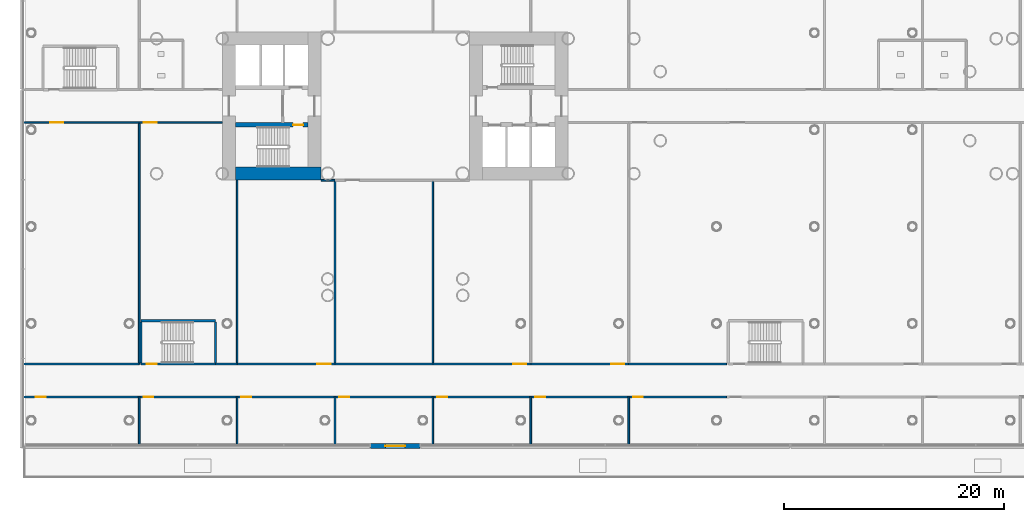
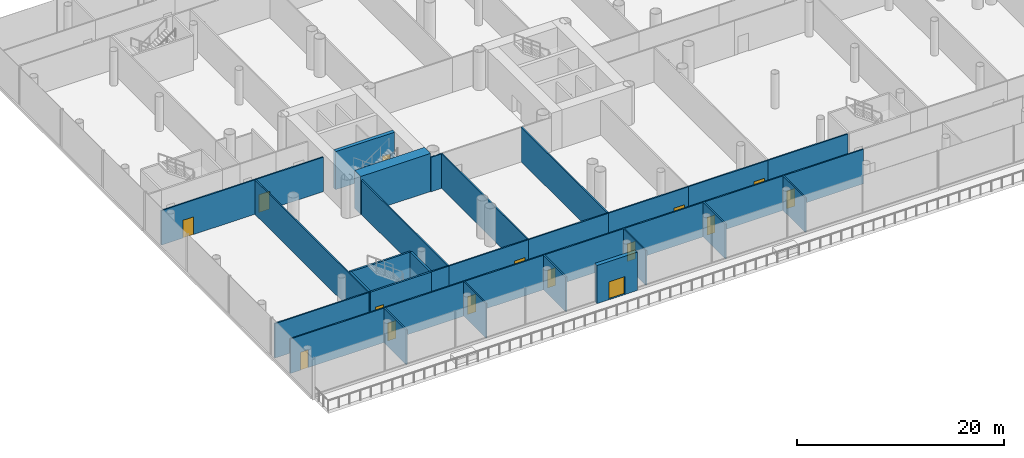
# One storey, part 17 of 49: 34 walls, 15 doors, 15 openings.
"""IFC4 building model written with IfcOpenShell, lengths in metres."""

from ifc_helpers import new_model, si_unit, direction, frame, frame_2d, origin, place, context, subcontext, project, spatial, rectangle, extrude, material, layer, layer_set, type_object, element, fill, save


model = new_model("IFC4")

# Units and contexts
model_context = context("Model", 3, precision=1e-05, world=origin(), true_north=direction((0.0, 1.0)))
body_context = subcontext(model_context, "Body", "Model", "MODEL_VIEW")
ifc_project = project(units=[si_unit("LENGTHUNIT", "METRE"), si_unit("AREAUNIT", "SQUARE_METRE"), si_unit("VOLUMEUNIT", "CUBIC_METRE"), si_unit("PLANEANGLEUNIT", "RADIAN"), si_unit("MASSUNIT", "GRAM", prefix="KILO")], contexts=[model_context])

# Site, building, storey
site_placement = place(None, origin())
site = spatial("IfcSite", under=ifc_project, at=site_placement, CompositionType="ELEMENT")
building_placement = place(site_placement, origin())
building = spatial("IfcBuilding", under=site, at=building_placement, Name="Ipe Terrace Towers", CompositionType="ELEMENT")
storey_placement = place(building_placement, frame((0.0, 0.0, 20.0)))
storey = spatial("IfcBuildingStorey", under=building, at=storey_placement, Name="L04", CompositionType="ELEMENT", Elevation=20.0)

# Wall, opening, door
ifc_material_1 = material(Name="Gypsum board partition", Category="plasterboard")
ifc_layer_1 = layer(ifc_material_1, 0.14990234375)
ifc_layer_set_1 = layer_set([ifc_layer_1], Name="Gypsum board partition 150 mm")
wall_type_1 = type_object("IfcWallType", Name="Gypsum board partition 150 mm", PredefinedType="PARTITIONING", material=ifc_layer_set_1)
wall_1_placement = place(storey_placement, frame((-69.85009765625, -26.5, 0.0), z_axis=(0.0, 0.0, 1.0), x_axis=(1.0, 0.0, 0.0)))
wall_1 = element("IfcWall", 1, at=wall_1_placement, inside=storey, type_object=wall_type_1, Name="Gypsum board partition T1 L04 pd-r0-w0", PredefinedType="PARTITIONING", context=body_context, shape_type="SweptSolid", body=[
    extrude(rectangle(XDim=10.52001953125, YDim=0.14990234375, at=frame_2d((5.260009765625, 0.0))), origin(), (0.0, 0.0, 1.0), 4.074951171875),
])
opening_1_placement = place(wall_1_placement, frame((1.10009765625, 0.0, 0.0)))
opening_1 = element("IfcOpeningElement", 2, at=opening_1_placement, cuts=wall_1, Name="Opening PD-L04-r0", PredefinedType="OPENING", context=body_context, shape_type="SweptSolid", body=[
    extrude(rectangle(XDim=0.89990234375, YDim=2.10009765625, at=frame_2d((0.449951171875, 1.050048828125))), frame((0.0, 0.0849609375, 0.0), z_axis=(0.0, -1.0, 0.0), x_axis=(1.0, 0.0, 0.0)), (0.0, 0.0, 1.0), 0.169921875),
])
ifc_material_2 = material(Name="Fire-rated timber door leaf", Category="wood")
door_type_1 = type_object("IfcDoorType", Name="Lounge door 900 x 2100 FD30S", OperationType="NOTDEFINED", PredefinedType="DOOR", material=ifc_material_2)
door_1_placement = place(opening_1_placement, origin())
door_1 = element("IfcDoor", 3, at=door_1_placement, inside=storey, type_object=door_type_1, Name="Lounge door PD-L04-r0", OperationType="SINGLE_SWING_RIGHT", OverallHeight=2.10009765625, OverallWidth=0.89990234375, PredefinedType="DOOR", context=body_context, shape_type="SweptSolid", body=[
    extrude(rectangle(XDim=0.89990234375, YDim=2.10009765625, at=frame_2d((0.449951171875, 1.050048828125))), frame((0.0, 0.02490234375, 0.0), z_axis=(0.0, -1.0, 0.0), x_axis=(1.0, 0.0, 0.0)), (0.0, 0.0, 1.0), 0.050048828125),
])
fill(opening_1, door_1)

# Wall
wall_2_placement = place(storey_placement, frame((-59.330078125, -26.5, 0.0), z_axis=(0.0, 0.0, 1.0), x_axis=(0.0, -1.0, 0.0)))
element("IfcWall", 4, at=wall_2_placement, inside=storey, type_object=wall_type_1, Name="Gypsum board partition T1 L04 pd-r0-r4-w1", PredefinedType="PARTITIONING", context=body_context, shape_type="SweptSolid", body=[
    extrude(rectangle(XDim=4.35009765625, YDim=0.14990234375, at=frame_2d((2.175048828125, 0.0))), origin(), (0.0, 0.0, 1.0), 4.074951171875),
])

# Wall, opening, door
wall_3_placement = place(storey_placement, frame((-69.85009765625, -1.5, 0.0), z_axis=(0.0, 0.0, 1.0), x_axis=(1.0, 0.0, 0.0)))
wall_3 = element("IfcWall", 5, at=wall_3_placement, inside=storey, type_object=wall_type_1, Name="Gypsum board partition T1 L04 pd-r1-w2", PredefinedType="PARTITIONING", context=body_context, shape_type="SweptSolid", body=[
    extrude(rectangle(XDim=10.52001953125, YDim=0.14990234375, at=frame_2d((5.260009765625, 0.0))), origin(), (0.0, 0.0, 1.0), 4.074951171875),
])
opening_2_placement = place(wall_3_placement, frame((2.39990234375, 0.0, 0.0)))
opening_2 = element("IfcOpeningElement", 6, at=opening_2_placement, cuts=wall_3, Name="Opening PD-L04-r1", PredefinedType="OPENING", context=body_context, shape_type="SweptSolid", body=[
    extrude(rectangle(XDim=1.199951171875, YDim=2.10009765625, at=frame_2d((0.60009765625, 1.050048828125))), frame((0.0, 0.0849609375, 0.0), z_axis=(0.0, -1.0, 0.0), x_axis=(1.0, 0.0, 0.0)), (0.0, 0.0, 1.0), 0.169921875),
])
ifc_material_3 = material(Name="Fire-rated timber door leaf", Category="wood")
door_type_2 = type_object("IfcDoorType", Name="Lounge door 1200 x 2100 FD30S", OperationType="NOTDEFINED", PredefinedType="DOOR", material=ifc_material_3)
door_2_placement = place(opening_2_placement, origin())
door_2 = element("IfcDoor", 7, at=door_2_placement, inside=storey, type_object=door_type_2, Name="Lounge door PD-L04-r1", OperationType="SINGLE_SWING_RIGHT", OverallHeight=2.10009765625, OverallWidth=1.199951171875, PredefinedType="DOOR", context=body_context, shape_type="SweptSolid", body=[
    extrude(rectangle(XDim=1.199951171875, YDim=2.10009765625, at=frame_2d((0.60009765625, 1.050048828125))), frame((0.0, 0.02490234375, 0.0), z_axis=(0.0, -1.0, 0.0), x_axis=(1.0, 0.0, 0.0)), (0.0, 0.0, 1.0), 0.050048828125),
])
fill(opening_2, door_2)

# Walls
wall_4_placement = place(storey_placement, frame((-59.330078125, -23.5, 0.0), z_axis=(0.0, 0.0, 1.0), x_axis=(-1.0, 0.0, 0.0)))
element("IfcWall", 8, at=wall_4_placement, inside=storey, type_object=wall_type_1, Name="Gypsum board partition T1 L04 pd-r1-w3", PredefinedType="PARTITIONING", context=body_context, shape_type="SweptSolid", body=[
    extrude(rectangle(XDim=10.52001953125, YDim=0.14990234375, at=frame_2d((5.260009765625, 0.0))), origin(), (0.0, 0.0, 1.0), 4.074951171875),
])
wall_5_placement = place(storey_placement, frame((-59.330078125, -1.5, 0.0), z_axis=(0.0, 0.0, 1.0), x_axis=(0.0, -1.0, 0.0)))
element("IfcWall", 9, at=wall_5_placement, inside=storey, type_object=wall_type_1, Name="Gypsum board partition T1 L04 pd-r1-r5-w4", PredefinedType="PARTITIONING", context=body_context, shape_type="SweptSolid", body=[
    extrude(rectangle(XDim=22.0, YDim=0.14990234375, at=frame_2d((11.0, 0.0))), origin(), (0.0, 0.0, 1.0), 4.074951171875),
])

# Wall, opening, door
wall_6_placement = place(storey_placement, frame((-59.330078125, -26.5, 0.0), z_axis=(0.0, 0.0, 1.0), x_axis=(1.0, 0.0, 0.0)))
wall_6 = element("IfcWall", 10, at=wall_6_placement, inside=storey, type_object=wall_type_1, Name="Gypsum board partition T1 L04 pd-r4-w11", PredefinedType="PARTITIONING", context=body_context, shape_type="SweptSolid", body=[
    extrude(rectangle(XDim=8.920166015625, YDim=0.14990234375, at=frame_2d((4.4599609375, 0.0))), origin(), (0.0, 0.0, 1.0), 4.074951171875),
])
opening_3_placement = place(wall_6_placement, frame((0.39990234375, 0.0, 0.0)))
opening_3 = element("IfcOpeningElement", 11, at=opening_3_placement, cuts=wall_6, Name="Opening PD-L04-r4", PredefinedType="OPENING", context=body_context, shape_type="SweptSolid", body=[
    extrude(rectangle(XDim=0.89990234375, YDim=2.10009765625, at=frame_2d((0.449951171875, 1.050048828125))), frame((0.0, 0.0849609375, 0.0), z_axis=(0.0, -1.0, 0.0), x_axis=(1.0, 0.0, 0.0)), (0.0, 0.0, 1.0), 0.169921875),
])
door_3_placement = place(opening_3_placement, origin())
door_3 = element("IfcDoor", 12, at=door_3_placement, inside=storey, type_object=door_type_1, Name="Lounge door PD-L04-r4", OperationType="SINGLE_SWING_RIGHT", OverallHeight=2.10009765625, OverallWidth=0.89990234375, PredefinedType="DOOR", context=body_context, shape_type="SweptSolid", body=[
    extrude(rectangle(XDim=0.89990234375, YDim=2.10009765625, at=frame_2d((0.449951171875, 1.050048828125))), frame((0.0, 0.02490234375, 0.0), z_axis=(0.0, -1.0, 0.0), x_axis=(1.0, 0.0, 0.0)), (0.0, 0.0, 1.0), 0.050048828125),
])
fill(opening_3, door_3)

# Wall
wall_7_placement = place(storey_placement, frame((-50.409912109375, -26.5, 0.0), z_axis=(0.0, 0.0, 1.0), x_axis=(0.0, -1.0, 0.0)))
element("IfcWall", 13, at=wall_7_placement, inside=storey, type_object=wall_type_1, Name="Gypsum board partition T1 L04 pd-r4-r8-w12", PredefinedType="PARTITIONING", context=body_context, shape_type="SweptSolid", body=[
    extrude(rectangle(XDim=4.35009765625, YDim=0.14990234375, at=frame_2d((2.175048828125, 0.0))), origin(), (0.0, 0.0, 1.0), 4.074951171875),
])

# Wall, opening, door
wall_8_placement = place(storey_placement, frame((-59.330078125, -1.5, 0.0), z_axis=(0.0, 0.0, 1.0), x_axis=(1.0, 0.0, 0.0)))
wall_8 = element("IfcWall", 14, at=wall_8_placement, inside=storey, type_object=wall_type_1, Name="Gypsum board partition T1 L04 pd-r5-w13", PredefinedType="PARTITIONING", context=body_context, shape_type="SweptSolid", body=[
    extrude(rectangle(XDim=7.580078125, YDim=0.14990234375, at=frame_2d((3.7900390625, 0.0))), origin(), (0.0, 0.0, 1.0), 4.074951171875),
])
opening_4_placement = place(wall_8_placement, frame((0.39990234375, 0.0, 0.0)))
opening_4 = element("IfcOpeningElement", 15, at=opening_4_placement, cuts=wall_8, Name="Opening PD-L04-r5", PredefinedType="OPENING", context=body_context, shape_type="SweptSolid", body=[
    extrude(rectangle(XDim=1.199951171875, YDim=2.10009765625, at=frame_2d((0.60009765625, 1.050048828125))), frame((0.0, 0.0849609375, 0.0), z_axis=(0.0, -1.0, 0.0), x_axis=(1.0, 0.0, 0.0)), (0.0, 0.0, 1.0), 0.169921875),
])
door_4_placement = place(opening_4_placement, origin())
door_4 = element("IfcDoor", 16, at=door_4_placement, inside=storey, type_object=door_type_2, Name="Lounge door PD-L04-r5", OperationType="SINGLE_SWING_RIGHT", OverallHeight=2.10009765625, OverallWidth=1.199951171875, PredefinedType="DOOR", context=body_context, shape_type="SweptSolid", body=[
    extrude(rectangle(XDim=1.199951171875, YDim=2.10009765625, at=frame_2d((0.60009765625, 1.050048828125))), frame((0.0, 0.02490234375, 0.0), z_axis=(0.0, -1.0, 0.0), x_axis=(1.0, 0.0, 0.0)), (0.0, 0.0, 1.0), 0.050048828125),
])
fill(opening_4, door_4)

# Walls
wall_9_placement = place(storey_placement, frame((-50.409912109375, -23.5, 0.0), z_axis=(0.0, 0.0, 1.0), x_axis=(-1.0, 0.0, 0.0)))
element("IfcWall", 17, at=wall_9_placement, inside=storey, type_object=wall_type_1, Name="Gypsum board partition T1 L04 pd-r5-w14", PredefinedType="PARTITIONING", context=body_context, shape_type="SweptSolid", body=[
    extrude(rectangle(XDim=1.960205078125, YDim=0.14990234375, at=frame_2d((0.97998046875, 0.0))), origin(), (0.0, 0.0, 1.0), 4.074951171875),
])
wall_10_placement = place(storey_placement, frame((-50.409912109375, -6.75, 0.0), z_axis=(0.0, 0.0, 1.0), x_axis=(0.0, -1.0, 0.0)))
element("IfcWall", 18, at=wall_10_placement, inside=storey, type_object=wall_type_1, Name="Gypsum board partition T1 L04 pd-r5-r9-w15", PredefinedType="PARTITIONING", context=body_context, shape_type="SweptSolid", body=[
    extrude(rectangle(XDim=16.75, YDim=0.14990234375, at=frame_2d((8.375, 0.0))), origin(), (0.0, 0.0, 1.0), 4.074951171875),
])

# Wall, opening, door
wall_11_placement = place(storey_placement, frame((-50.409912109375, -26.5, 0.0), z_axis=(0.0, 0.0, 1.0), x_axis=(1.0, 0.0, 0.0)))
wall_11 = element("IfcWall", 19, at=wall_11_placement, inside=storey, type_object=wall_type_1, Name="Gypsum board partition T1 L04 pd-r8-w19", PredefinedType="PARTITIONING", context=body_context, shape_type="SweptSolid", body=[
    extrude(rectangle(XDim=8.919921875, YDim=0.14990234375, at=frame_2d((4.4599609375, 0.0))), origin(), (0.0, 0.0, 1.0), 4.074951171875),
])
opening_5_placement = place(wall_11_placement, frame((0.39990234375, 0.0, 0.0)))
opening_5 = element("IfcOpeningElement", 20, at=opening_5_placement, cuts=wall_11, Name="Opening PD-L04-r8", PredefinedType="OPENING", context=body_context, shape_type="SweptSolid", body=[
    extrude(rectangle(XDim=0.89990234375, YDim=2.10009765625, at=frame_2d((0.449951171875, 1.050048828125))), frame((0.0, 0.0849609375, 0.0), z_axis=(0.0, -1.0, 0.0), x_axis=(1.0, 0.0, 0.0)), (0.0, 0.0, 1.0), 0.169921875),
])
door_5_placement = place(opening_5_placement, origin())
door_5 = element("IfcDoor", 21, at=door_5_placement, inside=storey, type_object=door_type_1, Name="Lounge door PD-L04-r8", OperationType="SINGLE_SWING_RIGHT", OverallHeight=2.10009765625, OverallWidth=0.89990234375, PredefinedType="DOOR", context=body_context, shape_type="SweptSolid", body=[
    extrude(rectangle(XDim=0.89990234375, YDim=2.10009765625, at=frame_2d((0.449951171875, 1.050048828125))), frame((0.0, 0.02490234375, 0.0), z_axis=(0.0, -1.0, 0.0), x_axis=(1.0, 0.0, 0.0)), (0.0, 0.0, 1.0), 0.050048828125),
])
fill(opening_5, door_5)

# Wall
wall_12_placement = place(storey_placement, frame((-42.75, -6.75, 0.0), z_axis=(0.0, 0.0, 1.0), x_axis=(1.0, 0.0, 0.0)))
element("IfcWall", 22, at=wall_12_placement, inside=storey, type_object=wall_type_1, Name="Gypsum board partition T1 L04 pd-r9-w20", PredefinedType="PARTITIONING", context=body_context, shape_type="SweptSolid", body=[
    extrude(rectangle(XDim=1.260009765625, YDim=0.14990234375, at=frame_2d((0.6298828125, 0.0))), origin(), (0.0, 0.0, 1.0), 4.074951171875),
])

# Wall, opening, door
wall_13_placement = place(storey_placement, frame((-41.489990234375, -23.5, 0.0), z_axis=(0.0, 0.0, 1.0), x_axis=(-1.0, 0.0, 0.0)))
wall_13 = element("IfcWall", 23, at=wall_13_placement, inside=storey, type_object=wall_type_1, Name="Gypsum board partition T1 L04 pd-r9-w21", PredefinedType="PARTITIONING", context=body_context, shape_type="SweptSolid", body=[
    extrude(rectangle(XDim=8.919921875, YDim=0.14990234375, at=frame_2d((4.4599609375, 0.0))), origin(), (0.0, 0.0, 1.0), 4.074951171875),
])
opening_6_placement = place(wall_13_placement, frame((0.39990234375, 0.0, 0.0)))
opening_6 = element("IfcOpeningElement", 24, at=opening_6_placement, cuts=wall_13, Name="Opening PD-L04-r9", PredefinedType="OPENING", context=body_context, shape_type="SweptSolid", body=[
    extrude(rectangle(XDim=1.199951171875, YDim=2.10009765625, at=frame_2d((0.60009765625, 1.050048828125))), frame((0.0, 0.0849609375, 0.0), z_axis=(0.0, -1.0, 0.0), x_axis=(1.0, 0.0, 0.0)), (0.0, 0.0, 1.0), 0.169921875),
])
door_6_placement = place(opening_6_placement, origin())
door_6 = element("IfcDoor", 25, at=door_6_placement, inside=storey, type_object=door_type_2, Name="Lounge door PD-L04-r9", OperationType="SINGLE_SWING_RIGHT", OverallHeight=2.10009765625, OverallWidth=1.199951171875, PredefinedType="DOOR", context=body_context, shape_type="SweptSolid", body=[
    extrude(rectangle(XDim=1.199951171875, YDim=2.10009765625, at=frame_2d((0.60009765625, 1.050048828125))), frame((0.0, 0.02490234375, 0.0), z_axis=(0.0, -1.0, 0.0), x_axis=(1.0, 0.0, 0.0)), (0.0, 0.0, 1.0), 0.050048828125),
])
fill(opening_6, door_6)

wall_14_placement = place(storey_placement, frame((-41.489990234375, -26.5, 0.0), z_axis=(0.0, 0.0, 1.0), x_axis=(1.0, 0.0, 0.0)))
wall_14 = element("IfcWall", 26, at=wall_14_placement, inside=storey, type_object=wall_type_1, Name="Gypsum board partition T1 L04 pd-r12-w29", PredefinedType="PARTITIONING", context=body_context, shape_type="SweptSolid", body=[
    extrude(rectangle(XDim=8.919921875, YDim=0.14990234375, at=frame_2d((4.4599609375, 0.0))), origin(), (0.0, 0.0, 1.0), 4.074951171875),
])
opening_7_placement = place(wall_14_placement, frame((0.39990234375, 0.0, 0.0)))
opening_7 = element("IfcOpeningElement", 27, at=opening_7_placement, cuts=wall_14, Name="Opening PD-L04-r12", PredefinedType="OPENING", context=body_context, shape_type="SweptSolid", body=[
    extrude(rectangle(XDim=0.89990234375, YDim=2.10009765625, at=frame_2d((0.449951171875, 1.050048828125))), frame((0.0, 0.0849609375, 0.0), z_axis=(0.0, -1.0, 0.0), x_axis=(1.0, 0.0, 0.0)), (0.0, 0.0, 1.0), 0.169921875),
])
door_7_placement = place(opening_7_placement, origin())
door_7 = element("IfcDoor", 28, at=door_7_placement, inside=storey, type_object=door_type_1, Name="Lounge door PD-L04-r12", OperationType="SINGLE_SWING_RIGHT", OverallHeight=2.10009765625, OverallWidth=0.89990234375, PredefinedType="DOOR", context=body_context, shape_type="SweptSolid", body=[
    extrude(rectangle(XDim=0.89990234375, YDim=2.10009765625, at=frame_2d((0.449951171875, 1.050048828125))), frame((0.0, 0.02490234375, 0.0), z_axis=(0.0, -1.0, 0.0), x_axis=(1.0, 0.0, 0.0)), (0.0, 0.0, 1.0), 0.050048828125),
])
fill(opening_7, door_7)

# Walls
for number, where, z_axis, x_axis, name in (
    (29, (-41.489990234375, -30.85009765625, 0.0), (0.0, 0.0, 1.0), (0.0, 1.0, 0.0), "Gypsum board partition T1 L04 pd-r12-r8-w30"),
    (30, (-32.570068359375, -26.5, 0.0), (0.0, 0.0, 1.0), (0.0, -1.0, 0.0), "Gypsum board partition T1 L04 pd-r12-r16-w31"),
):
    element("IfcWall", number, at=place(storey_placement, frame(where, z_axis=z_axis, x_axis=x_axis)), inside=storey, type_object=wall_type_1, Name=name, PredefinedType="PARTITIONING", context=body_context, shape_type="SweptSolid", body=[
        extrude(rectangle(XDim=4.35009765625, YDim=0.14990234375, at=frame_2d((2.175048828125, 0.0))), origin(), (0.0, 0.0, 1.0), 4.074951171875),
    ])
wall_15_placement = place(storey_placement, frame((-32.570068359375, -23.5, 0.0), z_axis=(0.0, 0.0, 1.0), x_axis=(-1.0, 0.0, 0.0)))
element("IfcWall", 31, at=wall_15_placement, inside=storey, type_object=wall_type_1, Name="Gypsum board partition T1 L04 pd-r13-w33", PredefinedType="PARTITIONING", context=body_context, shape_type="SweptSolid", body=[
    extrude(rectangle(XDim=8.919921875, YDim=0.14990234375, at=frame_2d((4.4599609375, 0.0))), origin(), (0.0, 0.0, 1.0), 4.074951171875),
])
for number, where, z_axis, x_axis, name in (
    (32, (-41.489990234375, -23.5, 0.0), (0.0, 0.0, 1.0), (0.0, 1.0, 0.0), "Gypsum board partition T1 L04 pd-r13-r9-w34"),
    (33, (-32.570068359375, -6.75, 0.0), (0.0, 0.0, 1.0), (0.0, -1.0, 0.0), "Gypsum board partition T1 L04 pd-r13-r17-w35"),
):
    element("IfcWall", number, at=place(storey_placement, frame(where, z_axis=z_axis, x_axis=x_axis)), inside=storey, type_object=wall_type_1, Name=name, PredefinedType="PARTITIONING", context=body_context, shape_type="SweptSolid", body=[
        extrude(rectangle(XDim=16.75, YDim=0.14990234375, at=frame_2d((8.375, 0.0))), origin(), (0.0, 0.0, 1.0), 4.074951171875),
    ])

# Wall, opening, door
wall_16_placement = place(storey_placement, frame((-32.570068359375, -26.5, 0.0), z_axis=(0.0, 0.0, 1.0), x_axis=(1.0, 0.0, 0.0)))
wall_16 = element("IfcWall", 34, at=wall_16_placement, inside=storey, type_object=wall_type_1, Name="Gypsum board partition T1 L04 pd-r16-w41", PredefinedType="PARTITIONING", context=body_context, shape_type="SweptSolid", body=[
    extrude(rectangle(XDim=8.920166015625, YDim=0.14990234375, at=frame_2d((4.4599609375, 0.0))), origin(), (0.0, 0.0, 1.0), 4.074951171875),
])
opening_8_placement = place(wall_16_placement, frame((0.39990234375, 0.0, 0.0)))
opening_8 = element("IfcOpeningElement", 35, at=opening_8_placement, cuts=wall_16, Name="Opening PD-L04-r16", PredefinedType="OPENING", context=body_context, shape_type="SweptSolid", body=[
    extrude(rectangle(XDim=0.89990234375, YDim=2.10009765625, at=frame_2d((0.449951171875, 1.050048828125))), frame((0.0, 0.0849609375, 0.0), z_axis=(0.0, -1.0, 0.0), x_axis=(1.0, 0.0, 0.0)), (0.0, 0.0, 1.0), 0.169921875),
])
door_8_placement = place(opening_8_placement, origin())
door_8 = element("IfcDoor", 36, at=door_8_placement, inside=storey, type_object=door_type_1, Name="Lounge door PD-L04-r16", OperationType="SINGLE_SWING_RIGHT", OverallHeight=2.10009765625, OverallWidth=0.89990234375, PredefinedType="DOOR", context=body_context, shape_type="SweptSolid", body=[
    extrude(rectangle(XDim=0.89990234375, YDim=2.10009765625, at=frame_2d((0.449951171875, 1.050048828125))), frame((0.0, 0.02490234375, 0.0), z_axis=(0.0, -1.0, 0.0), x_axis=(1.0, 0.0, 0.0)), (0.0, 0.0, 1.0), 0.050048828125),
])
fill(opening_8, door_8)

# Wall
wall_17_placement = place(storey_placement, frame((-23.64990234375, -26.5, 0.0), z_axis=(0.0, 0.0, 1.0), x_axis=(0.0, -1.0, 0.0)))
element("IfcWall", 37, at=wall_17_placement, inside=storey, type_object=wall_type_1, Name="Gypsum board partition T1 L04 pd-r16-r20-w42", PredefinedType="PARTITIONING", context=body_context, shape_type="SweptSolid", body=[
    extrude(rectangle(XDim=4.35009765625, YDim=0.14990234375, at=frame_2d((2.175048828125, 0.0))), origin(), (0.0, 0.0, 1.0), 4.074951171875),
])

# Wall, opening, door
wall_18_placement = place(storey_placement, frame((-23.64990234375, -23.5, 0.0), z_axis=(0.0, 0.0, 1.0), x_axis=(-1.0, 0.0, 0.0)))
wall_18 = element("IfcWall", 38, at=wall_18_placement, inside=storey, type_object=wall_type_1, Name="Gypsum board partition T1 L04 pd-r17-w44", PredefinedType="PARTITIONING", context=body_context, shape_type="SweptSolid", body=[
    extrude(rectangle(XDim=8.920166015625, YDim=0.14990234375, at=frame_2d((4.4599609375, 0.0))), origin(), (0.0, 0.0, 1.0), 4.074951171875),
])
opening_9_placement = place(wall_18_placement, frame((0.39990234375, 0.0, 0.0)))
opening_9 = element("IfcOpeningElement", 39, at=opening_9_placement, cuts=wall_18, Name="Opening PD-L04-r17", PredefinedType="OPENING", context=body_context, shape_type="SweptSolid", body=[
    extrude(rectangle(XDim=1.199951171875, YDim=2.10009765625, at=frame_2d((0.60009765625, 1.050048828125))), frame((0.0, 0.0849609375, 0.0), z_axis=(0.0, -1.0, 0.0), x_axis=(1.0, 0.0, 0.0)), (0.0, 0.0, 1.0), 0.169921875),
])
door_9_placement = place(opening_9_placement, origin())
door_9 = element("IfcDoor", 40, at=door_9_placement, inside=storey, type_object=door_type_2, Name="Lounge door PD-L04-r17", OperationType="SINGLE_SWING_RIGHT", OverallHeight=2.10009765625, OverallWidth=1.199951171875, PredefinedType="DOOR", context=body_context, shape_type="SweptSolid", body=[
    extrude(rectangle(XDim=1.199951171875, YDim=2.10009765625, at=frame_2d((0.60009765625, 1.050048828125))), frame((0.0, 0.02490234375, 0.0), z_axis=(0.0, -1.0, 0.0), x_axis=(1.0, 0.0, 0.0)), (0.0, 0.0, 1.0), 0.050048828125),
])
fill(opening_9, door_9)

wall_19_placement = place(storey_placement, frame((-23.64990234375, -26.5, 0.0), z_axis=(0.0, 0.0, 1.0), x_axis=(1.0, 0.0, 0.0)))
wall_19 = element("IfcWall", 41, at=wall_19_placement, inside=storey, type_object=wall_type_1, Name="Gypsum board partition T1 L04 pd-r20-w51", PredefinedType="PARTITIONING", context=body_context, shape_type="SweptSolid", body=[
    extrude(rectangle(XDim=8.919921875, YDim=0.14990234375, at=frame_2d((4.4599609375, 0.0))), origin(), (0.0, 0.0, 1.0), 4.074951171875),
])
opening_10_placement = place(wall_19_placement, frame((0.39990234375, 0.0, 0.0)))
opening_10 = element("IfcOpeningElement", 42, at=opening_10_placement, cuts=wall_19, Name="Opening PD-L04-r20", PredefinedType="OPENING", context=body_context, shape_type="SweptSolid", body=[
    extrude(rectangle(XDim=0.89990234375, YDim=2.10009765625, at=frame_2d((0.449951171875, 1.050048828125))), frame((0.0, 0.0849609375, 0.0), z_axis=(0.0, -1.0, 0.0), x_axis=(1.0, 0.0, 0.0)), (0.0, 0.0, 1.0), 0.169921875),
])
door_10_placement = place(opening_10_placement, origin())
door_10 = element("IfcDoor", 43, at=door_10_placement, inside=storey, type_object=door_type_1, Name="Lounge door PD-L04-r20", OperationType="SINGLE_SWING_RIGHT", OverallHeight=2.10009765625, OverallWidth=0.89990234375, PredefinedType="DOOR", context=body_context, shape_type="SweptSolid", body=[
    extrude(rectangle(XDim=0.89990234375, YDim=2.10009765625, at=frame_2d((0.449951171875, 1.050048828125))), frame((0.0, 0.02490234375, 0.0), z_axis=(0.0, -1.0, 0.0), x_axis=(1.0, 0.0, 0.0)), (0.0, 0.0, 1.0), 0.050048828125),
])
fill(opening_10, door_10)

# Wall
wall_20_placement = place(storey_placement, frame((-14.72998046875, -26.5, 0.0), z_axis=(0.0, 0.0, 1.0), x_axis=(0.0, -1.0, 0.0)))
element("IfcWall", 44, at=wall_20_placement, inside=storey, type_object=wall_type_1, Name="Gypsum board partition T1 L04 pd-r20-r24-w52", PredefinedType="PARTITIONING", context=body_context, shape_type="SweptSolid", body=[
    extrude(rectangle(XDim=4.35009765625, YDim=0.14990234375, at=frame_2d((2.175048828125, 0.0))), origin(), (0.0, 0.0, 1.0), 4.074951171875),
])

# Wall, opening, door
wall_21_placement = place(storey_placement, frame((-14.72998046875, -23.5, 0.0), z_axis=(0.0, 0.0, 1.0), x_axis=(-1.0, 0.0, 0.0)))
wall_21 = element("IfcWall", 45, at=wall_21_placement, inside=storey, type_object=wall_type_1, Name="Gypsum board partition T1 L04 pd-r22-w56", PredefinedType="PARTITIONING", context=body_context, shape_type="SweptSolid", body=[
    extrude(rectangle(XDim=8.919921875, YDim=0.14990234375, at=frame_2d((4.4599609375, 0.0))), origin(), (0.0, 0.0, 1.0), 4.074951171875),
])
opening_11_placement = place(wall_21_placement, frame((0.39990234375, 0.0, 0.0)))
opening_11 = element("IfcOpeningElement", 46, at=opening_11_placement, cuts=wall_21, Name="Opening PD-L04-r22", PredefinedType="OPENING", context=body_context, shape_type="SweptSolid", body=[
    extrude(rectangle(XDim=1.199951171875, YDim=2.10009765625, at=frame_2d((0.60009765625, 1.050048828125))), frame((0.0, 0.0849609375, 0.0), z_axis=(0.0, -1.0, 0.0), x_axis=(1.0, 0.0, 0.0)), (0.0, 0.0, 1.0), 0.169921875),
])
door_11_placement = place(opening_11_placement, origin())
door_11 = element("IfcDoor", 47, at=door_11_placement, inside=storey, type_object=door_type_2, Name="Lounge door PD-L04-r22", OperationType="SINGLE_SWING_RIGHT", OverallHeight=2.10009765625, OverallWidth=1.199951171875, PredefinedType="DOOR", context=body_context, shape_type="SweptSolid", body=[
    extrude(rectangle(XDim=1.199951171875, YDim=2.10009765625, at=frame_2d((0.60009765625, 1.050048828125))), frame((0.0, 0.02490234375, 0.0), z_axis=(0.0, -1.0, 0.0), x_axis=(1.0, 0.0, 0.0)), (0.0, 0.0, 1.0), 0.050048828125),
])
fill(opening_11, door_11)

wall_22_placement = place(storey_placement, frame((-14.72998046875, -26.5, 0.0), z_axis=(0.0, 0.0, 1.0), x_axis=(1.0, 0.0, 0.0)))
wall_22 = element("IfcWall", 48, at=wall_22_placement, inside=storey, type_object=wall_type_1, Name="Gypsum board partition T1 L04 pd-r24-w61", PredefinedType="PARTITIONING", context=body_context, shape_type="SweptSolid", body=[
    extrude(rectangle(XDim=8.919921875, YDim=0.14990234375, at=frame_2d((4.4599609375, 0.0))), origin(), (0.0, 0.0, 1.0), 4.074951171875),
])
opening_12_placement = place(wall_22_placement, frame((0.39990234375, 0.0, 0.0)))
opening_12 = element("IfcOpeningElement", 49, at=opening_12_placement, cuts=wall_22, Name="Opening PD-L04-r24", PredefinedType="OPENING", context=body_context, shape_type="SweptSolid", body=[
    extrude(rectangle(XDim=0.89990234375, YDim=2.10009765625, at=frame_2d((0.449951171875, 1.050048828125))), frame((0.0, 0.0849609375, 0.0), z_axis=(0.0, -1.0, 0.0), x_axis=(1.0, 0.0, 0.0)), (0.0, 0.0, 1.0), 0.169921875),
])
door_12_placement = place(opening_12_placement, origin())
door_12 = element("IfcDoor", 50, at=door_12_placement, inside=storey, type_object=door_type_1, Name="Lounge door PD-L04-r24", OperationType="SINGLE_SWING_RIGHT", OverallHeight=2.10009765625, OverallWidth=0.89990234375, PredefinedType="DOOR", context=body_context, shape_type="SweptSolid", body=[
    extrude(rectangle(XDim=0.89990234375, YDim=2.10009765625, at=frame_2d((0.449951171875, 1.050048828125))), frame((0.0, 0.02490234375, 0.0), z_axis=(0.0, -1.0, 0.0), x_axis=(1.0, 0.0, 0.0)), (0.0, 0.0, 1.0), 0.050048828125),
])
fill(opening_12, door_12)

# Wall
wall_23_placement = place(storey_placement, frame((-5.81005859375, -23.5, 0.0), z_axis=(0.0, 0.0, 1.0), x_axis=(-1.0, 0.0, 0.0)))
element("IfcWall", 51, at=wall_23_placement, inside=storey, type_object=wall_type_1, Name="Gypsum board partition T1 L04 pd-r25-w63", PredefinedType="PARTITIONING", context=body_context, shape_type="SweptSolid", body=[
    extrude(rectangle(XDim=8.919921875, YDim=0.14990234375, at=frame_2d((4.4599609375, 0.0))), origin(), (0.0, 0.0, 1.0), 4.074951171875),
])

# Wall, opening, door
ifc_material_4 = material(Name="Concrete C40/50 with buff precast cladding", Category="concrete")
ifc_layer_2 = layer(ifc_material_4, 0.43994140625)
ifc_layer_set_2 = layer_set([ifc_layer_2], Name="PODIUM CLADDING WALL 440")
wall_type_2 = type_object("IfcWallType", Name="PODIUM CLADDING WALL 440", PredefinedType="STANDARD", material=ifc_layer_set_2)
wall_24_placement = place(storey_placement, frame((-38.25, -30.969970703125, -0.02001953125), z_axis=(0.0, 0.0, 1.0), x_axis=(1.0, 0.0, 0.0)))
wall_24 = element("IfcWall", 52, at=wall_24_placement, inside=storey, type_object=wall_type_2, Name="POD-W-L04-03b wall", PredefinedType="STANDARD", context=body_context, shape_type="SweptSolid", body=[
    extrude(rectangle(XDim=4.5, YDim=0.43994140625, at=frame_2d((2.25, 0.0))), origin(), (0.0, 0.0, 1.0), 4.52001953125),
])
opening_13_placement = place(wall_24_placement, frame((1.35009765625, 0.0, 0.02001953125)))
opening_13 = element("IfcOpeningElement", 53, at=opening_13_placement, cuts=wall_24, Name="Opening POD-D-L04-01", PredefinedType="OPENING", context=body_context, shape_type="SweptSolid", body=[
    extrude(rectangle(XDim=1.800048828125, YDim=2.10009765625, at=frame_2d((0.89990234375, 1.050048828125))), frame((0.0, 0.22998046875, 0.0), z_axis=(0.0, -1.0, 0.0), x_axis=(1.0, 0.0, 0.0)), (0.0, 0.0, 1.0), 0.4599609375),
])
ifc_material_5 = material(Name="Aluminium alloy 6063-T6 framed glazed door", Category="aluminium")
door_type_3 = type_object("IfcDoorType", Name="PODIUM TERRACE DOOR 1800 x 2100", OperationType="DOUBLE_DOOR_SINGLE_SWING", PredefinedType="DOOR", material=ifc_material_5)
door_13_placement = place(opening_13_placement, origin())
door_13 = element("IfcDoor", 54, at=door_13_placement, inside=storey, type_object=door_type_3, Name="DT2 terrace door", OperationType="DOUBLE_DOOR_SINGLE_SWING", OverallHeight=2.10009765625, OverallWidth=1.800048828125, PredefinedType="DOOR", context=body_context, shape_type="SweptSolid", body=[
    extrude(rectangle(XDim=1.800048828125, YDim=2.10009765625, at=frame_2d((0.89990234375, 1.050048828125))), frame((0.0, 0.02490234375, 0.0), z_axis=(0.0, -1.0, 0.0), x_axis=(1.0, 0.0, 0.0)), (0.0, 0.0, 1.0), 0.050048828125),
])
fill(opening_13, door_13)

# Wall
ifc_material_6 = material(Name="Concrete C60/75", Category="concrete")
ifc_layer_3 = layer(ifc_material_6, 1.199951171875)
ifc_layer_set_3 = layer_set([ifc_layer_3], Name="RW1200 CORE WALL 1200 C60-75")
wall_type_3 = type_object("IfcWallType", Name="RW1200 CORE WALL 1200 C60-75", PredefinedType="SHEAR", material=ifc_layer_set_3)
wall_25_placement = place(storey_placement, frame((-50.550048828125, -6.14990234375, 0.0), z_axis=(0.0, 0.0, 1.0), x_axis=(1.0, 0.0, 0.0)))
element("IfcWall", 55, at=wall_25_placement, inside=storey, type_object=wall_type_3, Name="Core wall T1-C2-P-W01", PredefinedType="SHEAR", context=body_context, shape_type="SweptSolid", body=[
    extrude(rectangle(XDim=7.800048828125, YDim=1.199951171875, at=frame_2d((3.89990234375, 0.0))), origin(), (0.0, 0.0, 1.0), 4.5),
])

# Wall, opening, door
ifc_material_7 = material(Name="Concrete C40/50", Category="concrete")
ifc_layer_4 = layer(ifc_material_7, 0.199951171875)
ifc_layer_set_4 = layer_set([ifc_layer_4], Name="RW200 PODIUM STAIR SHAFT WALL 200 C40-50")
wall_type_4 = type_object("IfcWallType", Name="RW200 PODIUM STAIR SHAFT WALL 200 C40-50", PredefinedType="SHEAR", material=ifc_layer_set_4)
wall_26_placement = place(storey_placement, frame((-59.169921875, -23.5, 0.0), z_axis=(0.0, 0.0, 1.0), x_axis=(1.0, 0.0, 0.0)))
wall_26 = element("IfcWall", 56, at=wall_26_placement, inside=storey, type_object=wall_type_4, Name="Stair shaft wall T1 L04 ps4-c", PredefinedType="SHEAR", context=body_context, shape_type="SweptSolid", body=[
    extrude(rectangle(XDim=6.7998046875, YDim=0.199951171875, at=frame_2d((3.39990234375, 0.0))), origin(), (0.0, 0.0, 1.0), 4.074951171875),
])
opening_14_placement = place(wall_26_placement, frame((0.550048828125, 0.0, 0.0)))
opening_14 = element("IfcOpeningElement", 57, at=opening_14_placement, cuts=wall_26, Name="Opening PS4-SD", PredefinedType="OPENING", context=body_context, shape_type="SweptSolid", body=[
    extrude(rectangle(XDim=0.89990234375, YDim=2.10009765625, at=frame_2d((0.449951171875, 1.050048828125))), frame((0.0, 0.10986328125, 0.0), z_axis=(0.0, -1.0, 0.0), x_axis=(1.0, 0.0, 0.0)), (0.0, 0.0, 1.0), 0.219970703125),
])
ifc_material_8 = material(Name="Fire-rated timber door leaf", Category="wood")
door_type_4 = type_object("IfcDoorType", Name="Stair door 900 x 2100 FD60", OperationType="NOTDEFINED", PredefinedType="DOOR", material=ifc_material_8)
door_14_placement = place(opening_14_placement, origin())
door_14 = element("IfcDoor", 58, at=door_14_placement, inside=storey, type_object=door_type_4, Name="Stair door PS4-SD", OperationType="SINGLE_SWING_RIGHT", OverallHeight=2.10009765625, OverallWidth=0.89990234375, PredefinedType="DOOR", context=body_context, shape_type="SweptSolid", body=[
    extrude(rectangle(XDim=0.89990234375, YDim=2.10009765625, at=frame_2d((0.449951171875, 1.050048828125))), frame((0.0, 0.02490234375, 0.0), z_axis=(0.0, -1.0, 0.0), x_axis=(1.0, 0.0, 0.0)), (0.0, 0.0, 1.0), 0.050048828125),
])
fill(opening_14, door_14)

# Walls
wall_27_placement = place(storey_placement, frame((-59.169921875, -19.550048828125, 0.0), z_axis=(0.0, 0.0, 1.0), x_axis=(1.0, 0.0, 0.0)))
element("IfcWall", 59, at=wall_27_placement, inside=storey, type_object=wall_type_4, Name="Stair shaft wall T1 L04 ps4-f", PredefinedType="SHEAR", context=body_context, shape_type="SweptSolid", body=[
    extrude(rectangle(XDim=6.7998046875, YDim=0.199951171875, at=frame_2d((3.39990234375, 0.0))), origin(), (0.0, 0.0, 1.0), 4.074951171875),
])
for number, where, z_axis, x_axis, name in (
    (60, (-59.169921875, -23.39990234375, 0.0), (0.0, 0.0, 1.0), (0.0, 1.0, 0.0), "Stair shaft wall T1 L04 ps4-w"),
    (61, (-52.3701171875, -23.39990234375, 0.0), (0.0, 0.0, 1.0), (0.0, 1.0, 0.0), "Stair shaft wall T1 L04 ps4-e"),
):
    element("IfcWall", number, at=place(storey_placement, frame(where, z_axis=z_axis, x_axis=x_axis)), inside=storey, type_object=wall_type_4, Name=name, PredefinedType="SHEAR", context=body_context, shape_type="SweptSolid", body=[
        extrude(rectangle(XDim=3.75, YDim=0.199951171875, at=frame_2d((1.875, 0.0))), origin(), (0.0, 0.0, 1.0), 4.074951171875),
    ])

# Wall, opening, door
ifc_material_9 = material(Name="Concrete C60/75", Category="concrete")
ifc_layer_5 = layer(ifc_material_9, 0.39990234375)
ifc_layer_set_5 = layer_set([ifc_layer_5], Name="RW400 CORE SPINE WALL 400 C60-75")
wall_type_5 = type_object("IfcWallType", Name="RW400 CORE SPINE WALL 400 C60-75", PredefinedType="SHEAR", material=ifc_layer_set_5)
wall_28_placement = place(storey_placement, frame((-50.550048828125, -1.699951171875, 0.0), z_axis=(0.0, 0.0, 1.0), x_axis=(1.0, 0.0, 0.0)))
wall_28 = element("IfcWall", 62, at=wall_28_placement, inside=storey, type_object=wall_type_5, Name="Core spine wall T1-C2-P-SW1", PredefinedType="SHEAR", context=body_context, shape_type="SweptSolid", body=[
    extrude(rectangle(XDim=6.60009765625, YDim=0.39990234375, at=frame_2d((3.300048828125, 0.0))), origin(), (0.0, 0.0, 1.0), 4.5),
])
opening_15_placement = place(wall_28_placement, frame((5.25, 0.0, 0.0)))
opening_15 = element("IfcOpeningElement", 63, at=opening_15_placement, cuts=wall_28, Name="Opening T1C2-SD", PredefinedType="OPENING", context=body_context, shape_type="SweptSolid", body=[
    extrude(rectangle(XDim=0.89990234375, YDim=2.10009765625, at=frame_2d((0.449951171875, 1.050048828125))), frame((0.0, 0.2099609375, 0.0), z_axis=(0.0, -1.0, 0.0), x_axis=(1.0, 0.0, 0.0)), (0.0, 0.0, 1.0), 0.419921875),
])
door_15_placement = place(opening_15_placement, origin())
door_15 = element("IfcDoor", 64, at=door_15_placement, inside=storey, type_object=door_type_4, Name="Stair door T1C2-SD", OperationType="SINGLE_SWING_RIGHT", OverallHeight=2.10009765625, OverallWidth=0.89990234375, PredefinedType="DOOR", context=body_context, shape_type="SweptSolid", body=[
    extrude(rectangle(XDim=0.89990234375, YDim=2.10009765625, at=frame_2d((0.449951171875, 1.050048828125))), frame((0.0, 0.02490234375, 0.0), z_axis=(0.0, -1.0, 0.0), x_axis=(1.0, 0.0, 0.0)), (0.0, 0.0, 1.0), 0.050048828125),
])
fill(opening_15, door_15)

save(model, "model.ifc")
